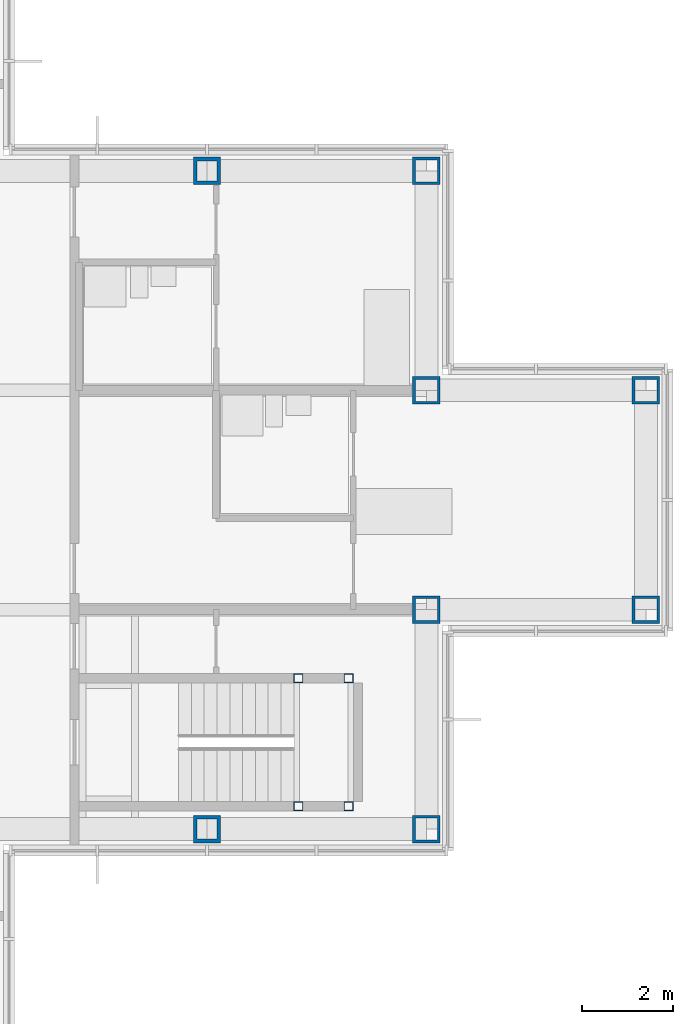
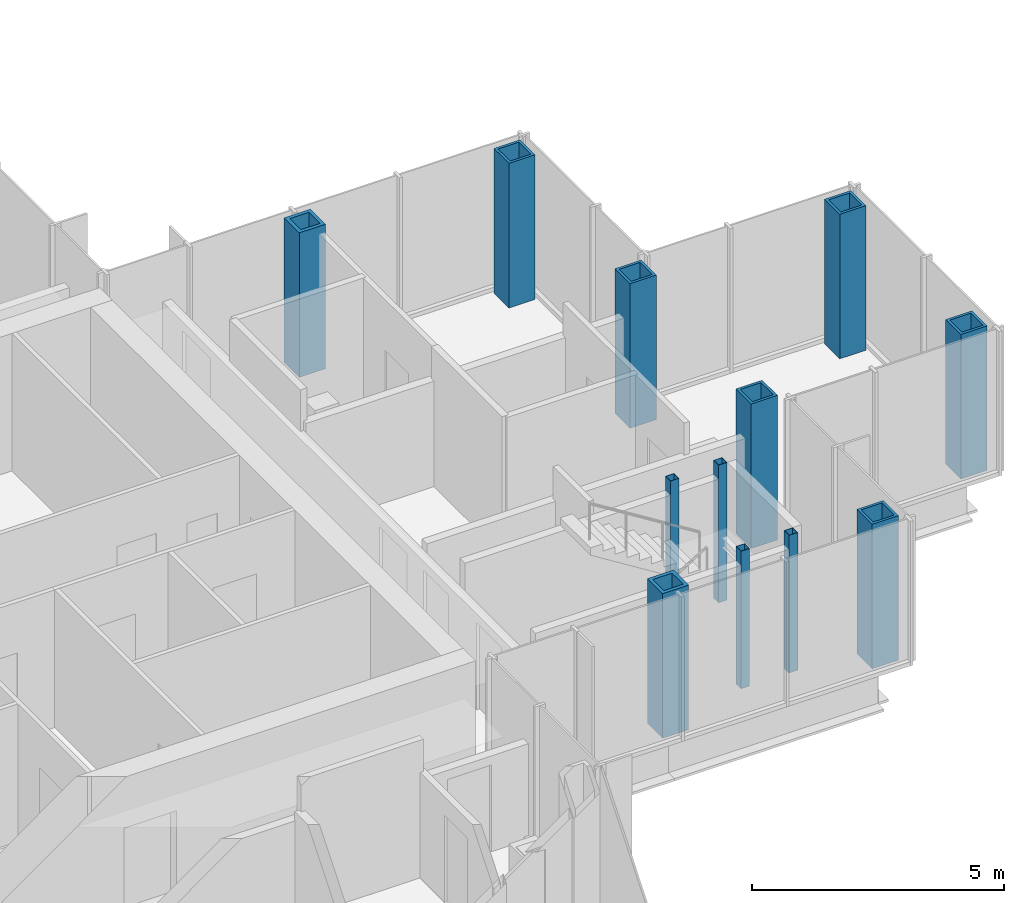
# One storey, part 4 of 17: 12 columns.
"""IFC4 building model written with IfcOpenShell, lengths in metres."""

from ifc_helpers import new_model, si_unit, direction, frame, origin, origin_2d, place, context, subcontext, project, spatial, hollow_rectangle, extrude, material, material_profile, profile_set, type_object, element, save


model = new_model("IFC4")

# Units and contexts
model_context = context("Model", 3, precision=1e-05, world=origin(), true_north=direction((0.0, 1.0)))
body_context = subcontext(model_context, "Body", "Model", "MODEL_VIEW")
ifc_project = project(units=[si_unit("LENGTHUNIT", "METRE"), si_unit("AREAUNIT", "SQUARE_METRE"), si_unit("VOLUMEUNIT", "CUBIC_METRE"), si_unit("PLANEANGLEUNIT", "RADIAN"), si_unit("MASSUNIT", "GRAM", prefix="KILO")], contexts=[model_context])

# Site, building, storey
site_placement = place(None, origin())
site = spatial("IfcSite", under=ifc_project, at=site_placement, CompositionType="ELEMENT")
building_placement = place(site_placement, origin())
building = spatial("IfcBuilding", under=site, at=building_placement, Name="Kvirike Care Tower", CompositionType="ELEMENT")
storey_placement = place(building_placement, frame((0.0, 0.0, 162.0)))
storey = spatial("IfcBuildingStorey", under=building, at=storey_placement, Name="L44", CompositionType="ELEMENT", Elevation=162.0)

# Columns
ifc_material_1 = material(Name="Steel S460", Category="steel")
ifc_material_profile_1 = material_profile(ifc_material_1, hollow_rectangle(XDim=0.60009765625, YDim=0.60009765625, WallThickness=0.06005859375, at=origin_2d()), Name="BX 600x600x60")
ifc_profile_set_1 = profile_set([ifc_material_profile_1], Name="Steel S460")
column_type_1 = type_object("IfcColumnType", Name="COLUMN BX 600x600x60", PredefinedType="COLUMN", material=ifc_profile_set_1)
for number, where, z_axis, x_axis, name in (
    (1, (38.39990234375, 28.800048828125, 0.0), (0.0, 0.0, 1.0), (0.0, 1.0, 0.0), "Column G11 L44"),
    (2, (38.39990234375, 33.60009765625, 0.0), (0.0, 0.0, 1.0), (0.0, 1.0, 0.0), "Column H11 L44"),
    (3, (38.39990234375, 38.39990234375, 0.0), (0.0, 0.0, 1.0), (0.0, 1.0, 0.0), "Column J11 L44"),
    (4, (38.39990234375, 43.199951171875, 0.0), (0.0, 0.0, 1.0), (0.0, 1.0, 0.0), "Column K11 L44"),
    (5, (43.199951171875, 33.60009765625, 0.0), (0.0, 0.0, 1.0), (0.0, 1.0, 0.0), "Column H12 L44"),
    (6, (43.199951171875, 38.39990234375, 0.0), (0.0, 0.0, 1.0), (0.0, 1.0, 0.0), "Column J12 L44"),
):
    element("IfcColumn", number, at=place(storey_placement, frame(where, z_axis=z_axis, x_axis=x_axis)), inside=storey, type_object=column_type_1, Name=name, PredefinedType="COLUMN", context=body_context, shape_type="SweptSolid", body=[
        extrude(hollow_rectangle(XDim=0.60009765625, YDim=0.60009765625, WallThickness=0.06005859375, at=origin_2d()), origin(), (0.0, 0.0, 1.0), 3.5),
    ])
ifc_material_2 = material(Name="Steel S460", Category="steel")
ifc_material_profile_2 = material_profile(ifc_material_2, hollow_rectangle(XDim=0.60009765625, YDim=0.60009765625, WallThickness=0.080078125, at=origin_2d()), Name="BX 600x600x80")
ifc_profile_set_2 = profile_set([ifc_material_profile_2], Name="Steel S460")
column_type_2 = type_object("IfcColumnType", Name="COLUMN BX 600x600x80", PredefinedType="COLUMN", material=ifc_profile_set_2)
for number, where, z_axis, x_axis, name in (
    (7, (33.60009765625, 28.800048828125, 0.0), (0.0, 0.0, 1.0), (0.0, 1.0, 0.0), "Column G10 L44"),
    (8, (33.60009765625, 43.199951171875, 0.0), (0.0, 0.0, 1.0), (0.0, 1.0, 0.0), "Column K10 L44"),
):
    element("IfcColumn", number, at=place(storey_placement, frame(where, z_axis=z_axis, x_axis=x_axis)), inside=storey, type_object=column_type_2, Name=name, PredefinedType="COLUMN", context=body_context, shape_type="SweptSolid", body=[
        extrude(hollow_rectangle(XDim=0.60009765625, YDim=0.60009765625, WallThickness=0.080078125, at=origin_2d()), origin(), (0.0, 0.0, 1.0), 3.5),
    ])
ifc_material_3 = material(Name="Steel S460", Category="steel")
ifc_material_profile_3 = material_profile(ifc_material_3, hollow_rectangle(XDim=0.199951171875, YDim=0.199951171875, WallThickness=0.008056640625, at=origin_2d()), Name="SHS 200x200x8")
ifc_profile_set_3 = profile_set([ifc_material_profile_3], Name="Steel S460")
column_type_3 = type_object("IfcColumnType", Name="STAIR POST SHS 200x200x8", PredefinedType="COLUMN", material=ifc_profile_set_3)
for number, where, z_axis, x_axis, name in (
    (9, (36.699951171875, 29.300048828125, 0.0), (0.0, 0.0, 1.0), (1.0, 0.0, 0.0), "Stair 2 post 1 L44"),
    (10, (36.699951171875, 32.10009765625, 0.0), (0.0, 0.0, 1.0), (1.0, 0.0, 0.0), "Stair 2 post 2 L44"),
    (11, (35.60009765625, 29.300048828125, 0.0), (0.0, 0.0, 1.0), (1.0, 0.0, 0.0), "Stair 2 post 3 L44"),
    (12, (35.60009765625, 32.10009765625, 0.0), (0.0, 0.0, 1.0), (1.0, 0.0, 0.0), "Stair 2 post 4 L44"),
):
    element("IfcColumn", number, at=place(storey_placement, frame(where, z_axis=z_axis, x_axis=x_axis)), inside=storey, type_object=column_type_3, Name=name, PredefinedType="COLUMN", context=body_context, shape_type="SweptSolid", body=[
        extrude(hollow_rectangle(XDim=0.199951171875, YDim=0.199951171875, WallThickness=0.008056640625, at=origin_2d()), origin(), (0.0, 0.0, 1.0), 3.330078125),
    ])

save(model, "model.ifc")
